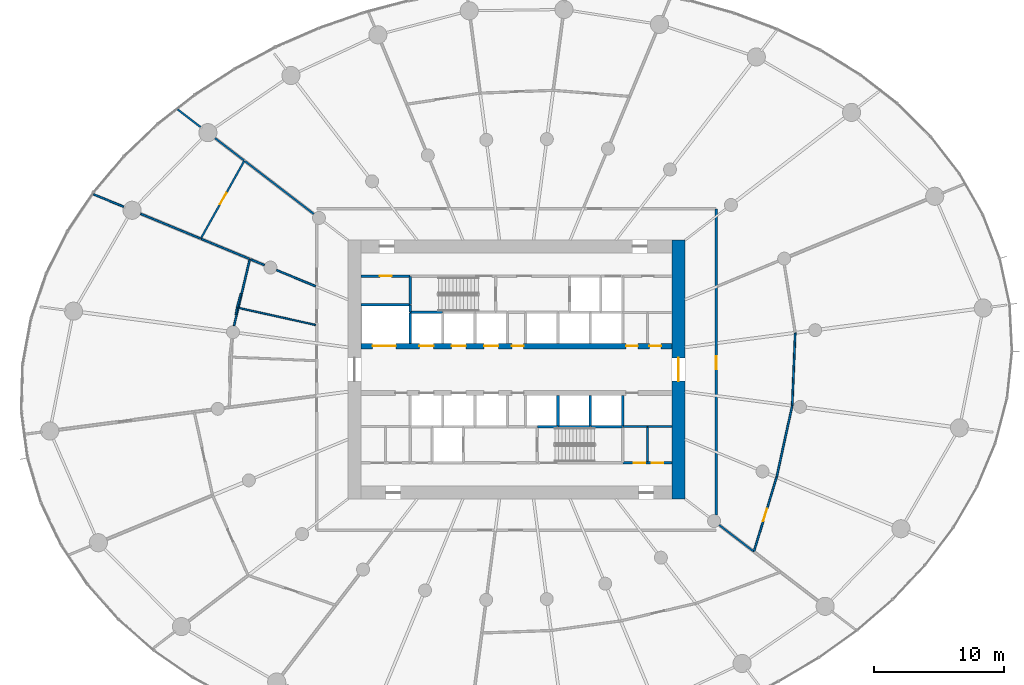
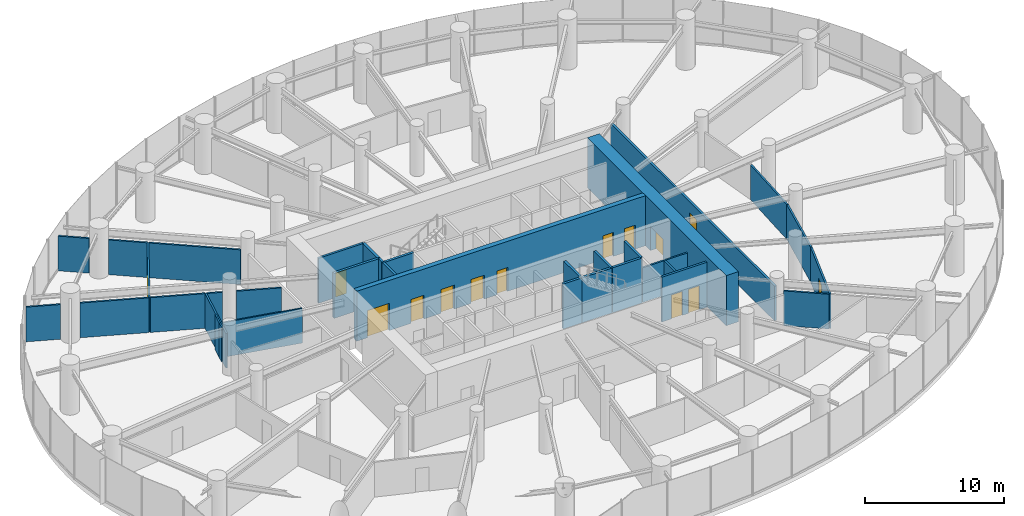
# One storey, part 13 of 18: 36 walls, 14 doors, 14 openings.
"""IFC4 building model written with IfcOpenShell, lengths in metres."""

from ifc_helpers import new_model, si_unit, direction, frame, frame_2d, origin, place, context, subcontext, project, spatial, rectangle, extrude, source, transform, mapped, material, layer, layer_set, type_object, element, fill, save


model = new_model("IFC4")

# Units and contexts
model_context = context("Model", 3, precision=1e-05, world=origin(), true_north=direction((0.0, 1.0)))
body_context = subcontext(model_context, "Body", "Model", "MODEL_VIEW")
ifc_project = project(units=[si_unit("LENGTHUNIT", "METRE"), si_unit("AREAUNIT", "SQUARE_METRE"), si_unit("VOLUMEUNIT", "CUBIC_METRE"), si_unit("PLANEANGLEUNIT", "RADIAN"), si_unit("MASSUNIT", "GRAM", prefix="KILO")], contexts=[model_context])

# Site, building, storey
site_placement = place(None, origin())
site = spatial("IfcSite", under=ifc_project, at=site_placement, CompositionType="ELEMENT")
building_placement = place(site_placement, origin())
building = spatial("IfcBuilding", under=site, at=building_placement, Name="Spindrift Exchange Tower", CompositionType="ELEMENT")
storey_placement = place(building_placement, frame((0.0, 0.0, 40.199951171875)))
storey = spatial("IfcBuildingStorey", under=building, at=storey_placement, Name="L09", CompositionType="ELEMENT", Elevation=40.199951171875)

# Wall, opening, door
ifc_material_1 = material(Name="Concrete 80 MPa", Category="concrete")
ifc_layer_1 = layer(ifc_material_1, 1.0)
ifc_layer_set_1 = layer_set([ifc_layer_1], Name="RC Core Wall 1000 Concrete 80 MPa")
wall_type_1 = type_object("IfcWallType", Name="RC Core Wall 1000 Concrete 80 MPa", PredefinedType="SHEAR", material=ifc_layer_set_1)
wall_1_placement = place(storey_placement, frame((64.5, 38.0, 0.0), z_axis=(0.0, 0.0, 1.0), x_axis=(0.0, 1.0, 0.0)))
wall_1 = element("IfcWall", 1, at=wall_1_placement, inside=storey, type_object=wall_type_1, Name="Core wall E L09", PredefinedType="SHEAR", context=body_context, shape_type="SweptSolid", body=[
    extrude(rectangle(XDim=20.0, YDim=1.0, at=frame_2d((10.0, 0.0))), origin(), (0.0, 0.0, 1.0), 4.400146484375),
])
opening_1_placement = place(wall_1_placement, frame((9.10009765625, 0.0, 0.0)))
opening_1 = element("IfcOpeningElement", 2, at=opening_1_placement, cuts=wall_1, Name="Opening L09-D2", PredefinedType="OPENING", context=body_context, shape_type="SweptSolid", body=[
    extrude(rectangle(XDim=1.800048828125, YDim=2.10009765625, at=frame_2d((0.89990234375, 1.050048828125))), frame((0.0, 0.510009765625, 0.0), z_axis=(0.0, -1.0, 0.0), x_axis=(1.0, 0.0, 0.0)), (0.0, 0.0, 1.0), 1.02001953125),
])
ifc_material_2 = material(Name="Timber-core fire door", Category="wood")
door_type_1 = type_object("IfcDoorType", Name="DR-LOBBY-1800", OperationType="NOTDEFINED", PredefinedType="DOOR", material=ifc_material_2)
shared_shape_1 = source(origin(), body_context, "Body", "SweptSolid", [
    extrude(rectangle(XDim=1.800048828125, YDim=2.10009765625, at=frame_2d((0.89990234375, 1.050048828125))), frame((0.0, 0.02490234375, 0.0), z_axis=(0.0, -1.0, 0.0), x_axis=(1.0, 0.0, 0.0)), (0.0, 0.0, 1.0), 0.050048828125),
])
door_1_placement = place(opening_1_placement, origin())
door_1 = element("IfcDoor", 3, at=door_1_placement, inside=storey, type_object=door_type_1, Name="L09 Lobby door 2", OperationType="SINGLE_SWING_LEFT", OverallHeight=2.10009765625, OverallWidth=1.800048828125, PredefinedType="DOOR", context=body_context, shape_type="MappedRepresentation", body=[
    mapped(shared_shape_1, transform((0.0, 0.0, 0.0), scale=1.0)),
])
fill(opening_1, door_1)

# Wall, openings, doors
ifc_layer_2 = layer(ifc_material_1, 0.39990234375)
ifc_layer_set_2 = layer_set([ifc_layer_2], Name="RC Spine Wall 400 Concrete 80 MPa")
wall_type_2 = type_object("IfcWallType", Name="RC Spine Wall 400 Concrete 80 MPa", PredefinedType="SHEAR", material=ifc_layer_set_2)
wall_2_placement = place(storey_placement, frame((40.0, 49.800048828125, 0.0), z_axis=(0.0, 0.0, 1.0), x_axis=(1.0, 0.0, 0.0)))
wall_2 = element("IfcWall", 4, at=wall_2_placement, inside=storey, type_object=wall_type_2, Name="Core spine wall N L09", PredefinedType="SHEAR", context=body_context, shape_type="SweptSolid", body=[
    extrude(rectangle(XDim=24.0, YDim=0.39990234375, at=frame_2d((12.0, 0.0))), origin(), (0.0, 0.0, 1.0), 4.400146484375),
])
opening_2_placement = place(wall_2_placement, frame((4.5, 0.0, 0.0)))
opening_2 = element("IfcOpeningElement", 5, at=opening_2_placement, cuts=wall_2, Name="Opening L09-D3", PredefinedType="OPENING", context=body_context, shape_type="SweptSolid", body=[
    extrude(rectangle(XDim=1.10009765625, YDim=2.10009765625, at=frame_2d((0.550048828125, 1.050048828125))), frame((0.0, 0.2099609375, 0.0), z_axis=(0.0, -1.0, 0.0), x_axis=(1.0, 0.0, 0.0)), (0.0, 0.0, 1.0), 0.419921875),
])
opening_3_placement = place(wall_2_placement, frame((7.0, 0.0, 0.0)))
opening_3 = element("IfcOpeningElement", 6, at=opening_3_placement, cuts=wall_2, Name="Opening L09-D4", PredefinedType="OPENING", context=body_context, shape_type="SweptSolid", body=[
    extrude(rectangle(XDim=1.10009765625, YDim=2.10009765625, at=frame_2d((0.550048828125, 1.050048828125))), frame((0.0, 0.2099609375, 0.0), z_axis=(0.0, -1.0, 0.0), x_axis=(1.0, 0.0, 0.0)), (0.0, 0.0, 1.0), 0.419921875),
])
opening_4_placement = place(wall_2_placement, frame((9.5, 0.0, 0.0)))
opening_4 = element("IfcOpeningElement", 7, at=opening_4_placement, cuts=wall_2, Name="Opening L09-D5", PredefinedType="OPENING", context=body_context, shape_type="SweptSolid", body=[
    extrude(rectangle(XDim=1.10009765625, YDim=2.10009765625, at=frame_2d((0.550048828125, 1.050048828125))), frame((0.0, 0.2099609375, 0.0), z_axis=(0.0, -1.0, 0.0), x_axis=(1.0, 0.0, 0.0)), (0.0, 0.0, 1.0), 0.419921875),
])
opening_5_placement = place(wall_2_placement, frame((0.89990234375, 0.0, 0.0)))
opening_5 = element("IfcOpeningElement", 8, at=opening_5_placement, cuts=wall_2, Name="Opening L09-D12", PredefinedType="OPENING", context=body_context, shape_type="SweptSolid", body=[
    extrude(rectangle(XDim=1.800048828125, YDim=2.39990234375, at=frame_2d((0.89990234375, 1.199951171875))), frame((0.0, 0.2099609375, 0.0), z_axis=(0.0, -1.0, 0.0), x_axis=(1.0, 0.0, 0.0)), (0.0, 0.0, 1.0), 0.419921875),
])
opening_6_placement = place(wall_2_placement, frame((20.449951171875, 0.0, 0.0)))
opening_6 = element("IfcOpeningElement", 9, at=opening_6_placement, cuts=wall_2, Name="Opening L09-D49", PredefinedType="OPENING", context=body_context, shape_type="SweptSolid", body=[
    extrude(rectangle(XDim=0.89990234375, YDim=2.10009765625, at=frame_2d((0.449951171875, 1.050048828125))), frame((0.0, 0.2099609375, 0.0), z_axis=(0.0, -1.0, 0.0), x_axis=(1.0, 0.0, 0.0)), (0.0, 0.0, 1.0), 0.419921875),
])
opening_7_placement = place(wall_2_placement, frame((22.25, 0.0, 0.0)))
opening_7 = element("IfcOpeningElement", 10, at=opening_7_placement, cuts=wall_2, Name="Opening L09-D50", PredefinedType="OPENING", context=body_context, shape_type="SweptSolid", body=[
    extrude(rectangle(XDim=0.89990234375, YDim=2.10009765625, at=frame_2d((0.449951171875, 1.050048828125))), frame((0.0, 0.2099609375, 0.0), z_axis=(0.0, -1.0, 0.0), x_axis=(1.0, 0.0, 0.0)), (0.0, 0.0, 1.0), 0.419921875),
])
opening_8_placement = place(wall_2_placement, frame((11.64990234375, 0.0, 0.0)))
opening_8 = element("IfcOpeningElement", 11, at=opening_8_placement, cuts=wall_2, Name="Opening L09-D55", PredefinedType="OPENING", context=body_context, shape_type="SweptSolid", body=[
    extrude(rectangle(XDim=0.89990234375, YDim=2.10009765625, at=frame_2d((0.449951171875, 1.050048828125))), frame((0.0, 0.2099609375, 0.0), z_axis=(0.0, -1.0, 0.0), x_axis=(1.0, 0.0, 0.0)), (0.0, 0.0, 1.0), 0.419921875),
])
ifc_material_3 = material(Name="Stainless steel landing door", Category="steel")
door_type_2 = type_object("IfcDoorType", Name="DR-LANDING-1100-SL", OperationType="DOUBLE_DOOR_SLIDING", PredefinedType="USERDEFINED", material=ifc_material_3)
shared_shape_2 = source(origin(), body_context, "Body", "SweptSolid", [
    extrude(rectangle(XDim=1.10009765625, YDim=2.10009765625, at=frame_2d((0.550048828125, 1.050048828125))), frame((0.0, 0.02490234375, 0.0), z_axis=(0.0, -1.0, 0.0), x_axis=(1.0, 0.0, 0.0)), (0.0, 0.0, 1.0), 0.050048828125),
])
door_2_placement = place(opening_2_placement, origin())
door_2 = element("IfcDoor", 12, at=door_2_placement, inside=storey, type_object=door_type_2, Name="L09 Lift landing door 3", ObjectType="LANDING DOOR", OperationType="DOUBLE_DOOR_SLIDING", OverallHeight=2.10009765625, OverallWidth=1.10009765625, PredefinedType="USERDEFINED", context=body_context, shape_type="MappedRepresentation", body=[
    mapped(shared_shape_2, transform((0.0, 0.0, 0.0), scale=1.0)),
])
fill(opening_2, door_2)
door_3_placement = place(opening_3_placement, origin())
door_3 = element("IfcDoor", 13, at=door_3_placement, inside=storey, type_object=door_type_2, Name="L09 Lift landing door 4", ObjectType="LANDING DOOR", OperationType="DOUBLE_DOOR_SLIDING", OverallHeight=2.10009765625, OverallWidth=1.10009765625, PredefinedType="USERDEFINED", context=body_context, shape_type="MappedRepresentation", body=[
    mapped(shared_shape_2, transform((0.0, 0.0, 0.0), scale=1.0)),
])
fill(opening_3, door_3)
door_4_placement = place(opening_4_placement, origin())
door_4 = element("IfcDoor", 14, at=door_4_placement, inside=storey, type_object=door_type_2, Name="L09 Lift landing door 5", ObjectType="LANDING DOOR", OperationType="DOUBLE_DOOR_SLIDING", OverallHeight=2.10009765625, OverallWidth=1.10009765625, PredefinedType="USERDEFINED", context=body_context, shape_type="MappedRepresentation", body=[
    mapped(shared_shape_2, transform((0.0, 0.0, 0.0), scale=1.0)),
])
fill(opening_4, door_4)
door_type_3 = type_object("IfcDoorType", Name="DR-LANDING-1800-SL", OperationType="DOUBLE_DOOR_SLIDING", PredefinedType="USERDEFINED", material=ifc_material_3)
shared_shape_3 = source(origin(), body_context, "Body", "SweptSolid", [
    extrude(rectangle(XDim=1.800048828125, YDim=2.39990234375, at=frame_2d((0.89990234375, 1.199951171875))), frame((0.0, 0.02490234375, 0.0), z_axis=(0.0, -1.0, 0.0), x_axis=(1.0, 0.0, 0.0)), (0.0, 0.0, 1.0), 0.050048828125),
])
door_5_placement = place(opening_5_placement, origin())
door_5 = element("IfcDoor", 15, at=door_5_placement, inside=storey, type_object=door_type_3, Name="L09 Lift landing door 12", ObjectType="LANDING DOOR", OperationType="DOUBLE_DOOR_SLIDING", OverallHeight=2.39990234375, OverallWidth=1.800048828125, PredefinedType="USERDEFINED", context=body_context, shape_type="MappedRepresentation", body=[
    mapped(shared_shape_3, transform((0.0, 0.0, 0.0), scale=1.0)),
])
fill(opening_5, door_5)
ifc_material_4 = material(Name="Steel access door", Category="steel")
door_type_4 = type_object("IfcDoorType", Name="DR-RISER-900", OperationType="NOTDEFINED", PredefinedType="DOOR", material=ifc_material_4)
shared_shape_4 = source(origin(), body_context, "Body", "SweptSolid", [
    extrude(rectangle(XDim=0.89990234375, YDim=2.10009765625, at=frame_2d((0.449951171875, 1.050048828125))), frame((0.0, 0.02490234375, 0.0), z_axis=(0.0, -1.0, 0.0), x_axis=(1.0, 0.0, 0.0)), (0.0, 0.0, 1.0), 0.050048828125),
])
door_6_placement = place(opening_6_placement, origin())
door_6 = element("IfcDoor", 16, at=door_6_placement, inside=storey, type_object=door_type_4, Name="L09 Riser door 49", OperationType="SINGLE_SWING_RIGHT", OverallHeight=2.10009765625, OverallWidth=0.89990234375, PredefinedType="DOOR", context=body_context, shape_type="MappedRepresentation", body=[
    mapped(shared_shape_4, transform((0.0, 0.0, 0.0), scale=1.0)),
])
fill(opening_6, door_6)
door_7_placement = place(opening_7_placement, origin())
door_7 = element("IfcDoor", 17, at=door_7_placement, inside=storey, type_object=door_type_4, Name="L09 Riser door 50", OperationType="SINGLE_SWING_LEFT", OverallHeight=2.10009765625, OverallWidth=0.89990234375, PredefinedType="DOOR", context=body_context, shape_type="MappedRepresentation", body=[
    mapped(shared_shape_4, transform((0.0, 0.0, 0.0), scale=1.0)),
])
fill(opening_7, door_7)
door_8_placement = place(opening_8_placement, origin())
door_8 = element("IfcDoor", 18, at=door_8_placement, inside=storey, type_object=door_type_4, Name="L09 Riser door 55", OperationType="SINGLE_SWING_RIGHT", OverallHeight=2.10009765625, OverallWidth=0.89990234375, PredefinedType="DOOR", context=body_context, shape_type="MappedRepresentation", body=[
    mapped(shared_shape_4, transform((0.0, 0.0, 0.0), scale=1.0)),
])
fill(opening_8, door_8)

# Wall, opening, door
ifc_material_5 = material(Name="Fire-rated plasterboard partition", Category="gypsum")
ifc_layer_3 = layer(ifc_material_5, 0.179931640625)
ifc_layer_set_3 = layer_set([ifc_layer_3], Name="W-CORR-180")
wall_type_3 = type_object("IfcWallType", Name="W-CORR-180", PredefinedType="PARTITIONING", material=ifc_layer_set_3)
wall_3_placement = place(storey_placement, frame((67.39990234375, 60.3701171875, 0.0), z_axis=(0.0, 0.0, 1.0), x_axis=(0.0, -1.0, 0.0)))
wall_3 = element("IfcWall", 19, at=wall_3_placement, inside=storey, type_object=wall_type_3, Name="L09 Partition wall 59", PredefinedType="PARTITIONING", context=body_context, shape_type="SweptSolid", body=[
    extrude(rectangle(XDim=23.58251953125, YDim=0.179931640625, at=frame_2d((11.791259765625, 0.0))), origin(), (0.0, 0.0, 1.0), 3.050048828125),
])
opening_9_placement = place(wall_3_placement, frame((11.33251953125, 0.0, 0.0)))
opening_9 = element("IfcOpeningElement", 20, at=opening_9_placement, cuts=wall_3, Name="Opening L09-D35", PredefinedType="OPENING", context=body_context, shape_type="SweptSolid", body=[
    extrude(rectangle(XDim=1.0, YDim=2.10009765625, at=frame_2d((0.5, 1.050048828125))), frame((0.0, 0.099853515625, 0.0), z_axis=(0.0, -1.0, 0.0), x_axis=(1.0, 0.0, 0.0)), (0.0, 0.0, 1.0), 0.199951171875),
])
door_type_5 = type_object("IfcDoorType", Name="DR-ROOM-1000", OperationType="NOTDEFINED", PredefinedType="DOOR", material=ifc_material_2)
shared_shape_5 = source(origin(), body_context, "Body", "SweptSolid", [
    extrude(rectangle(XDim=1.0, YDim=2.10009765625, at=frame_2d((0.5, 1.050048828125))), frame((0.0, 0.02490234375, 0.0), z_axis=(0.0, -1.0, 0.0), x_axis=(1.0, 0.0, 0.0)), (0.0, 0.0, 1.0), 0.050048828125),
])
door_9_placement = place(opening_9_placement, origin())
door_9 = element("IfcDoor", 21, at=door_9_placement, inside=storey, type_object=door_type_5, Name="L09 Door 35", OperationType="SINGLE_SWING_RIGHT", OverallHeight=2.10009765625, OverallWidth=1.0, PredefinedType="DOOR", context=body_context, shape_type="MappedRepresentation", body=[
    mapped(shared_shape_5, transform((0.0, 0.0, 0.0), scale=1.0)),
])
fill(opening_9, door_9)

wall_4_placement = place(storey_placement, frame((43.77001953125, 55.199951171875, 0.0), z_axis=(0.0, 0.0, 1.0), x_axis=(-1.0, 0.0, 0.0)))
wall_4 = element("IfcWall", 22, at=wall_4_placement, inside=storey, type_object=wall_type_3, Name="L09 Partition wall 62", PredefinedType="PARTITIONING", context=body_context, shape_type="SweptSolid", body=[
    extrude(rectangle(XDim=3.75, YDim=0.179931640625, at=frame_2d((1.875, 0.0))), origin(), (0.0, 0.0, 1.0), 3.949951171875),
])
opening_10_placement = place(wall_4_placement, frame((1.39990234375, 0.0, 0.0)))
opening_10 = element("IfcOpeningElement", 23, at=opening_10_placement, cuts=wall_4, Name="Opening L09-D45", PredefinedType="OPENING", context=body_context, shape_type="SweptSolid", body=[
    extrude(rectangle(XDim=0.89990234375, YDim=2.10009765625, at=frame_2d((0.449951171875, 1.050048828125))), frame((0.0, 0.099853515625, 0.0), z_axis=(0.0, -1.0, 0.0), x_axis=(1.0, 0.0, 0.0)), (0.0, 0.0, 1.0), 0.199951171875),
])
door_10_placement = place(opening_10_placement, origin())
door_10 = element("IfcDoor", 24, at=door_10_placement, inside=storey, type_object=door_type_4, Name="L09 Riser door 45", OperationType="SINGLE_SWING_RIGHT", OverallHeight=2.10009765625, OverallWidth=0.89990234375, PredefinedType="DOOR", context=body_context, shape_type="MappedRepresentation", body=[
    mapped(shared_shape_4, transform((0.0, 0.0, 0.0), scale=1.0)),
])
fill(opening_10, door_10)

# Wall, openings, doors
wall_5_placement = place(storey_placement, frame((60.22998046875, 40.800048828125, 0.0), z_axis=(0.0, 0.0, 1.0), x_axis=(1.0, 0.0, 0.0)))
wall_5 = element("IfcWall", 25, at=wall_5_placement, inside=storey, type_object=wall_type_3, Name="L09 Partition wall 63", PredefinedType="PARTITIONING", context=body_context, shape_type="SweptSolid", body=[
    extrude(rectangle(XDim=3.75, YDim=0.179931640625, at=frame_2d((1.875, 0.0))), origin(), (0.0, 0.0, 1.0), 3.949951171875),
])
opening_11_placement = place(wall_5_placement, frame((0.800048828125, 0.0, 0.0)))
opening_11 = element("IfcOpeningElement", 26, at=opening_11_placement, cuts=wall_5, Name="Opening L09-D52", PredefinedType="OPENING", context=body_context, shape_type="SweptSolid", body=[
    extrude(rectangle(XDim=0.89990234375, YDim=2.10009765625, at=frame_2d((0.449951171875, 1.050048828125))), frame((0.0, 0.099853515625, 0.0), z_axis=(0.0, -1.0, 0.0), x_axis=(1.0, 0.0, 0.0)), (0.0, 0.0, 1.0), 0.199951171875),
])
opening_12_placement = place(wall_5_placement, frame((2.199951171875, 0.0, 0.0)))
opening_12 = element("IfcOpeningElement", 27, at=opening_12_placement, cuts=wall_5, Name="Opening L09-D53", PredefinedType="OPENING", context=body_context, shape_type="SweptSolid", body=[
    extrude(rectangle(XDim=0.89990234375, YDim=2.10009765625, at=frame_2d((0.449951171875, 1.050048828125))), frame((0.0, 0.099853515625, 0.0), z_axis=(0.0, -1.0, 0.0), x_axis=(1.0, 0.0, 0.0)), (0.0, 0.0, 1.0), 0.199951171875),
])
door_11_placement = place(opening_11_placement, origin())
door_11 = element("IfcDoor", 28, at=door_11_placement, inside=storey, type_object=door_type_4, Name="L09 Riser door 52", OperationType="SINGLE_SWING_LEFT", OverallHeight=2.10009765625, OverallWidth=0.89990234375, PredefinedType="DOOR", context=body_context, shape_type="MappedRepresentation", body=[
    mapped(shared_shape_4, transform((0.0, 0.0, 0.0), scale=1.0)),
])
fill(opening_11, door_11)
door_12_placement = place(opening_12_placement, origin())
door_12 = element("IfcDoor", 29, at=door_12_placement, inside=storey, type_object=door_type_4, Name="L09 Riser door 53", OperationType="SINGLE_SWING_RIGHT", OverallHeight=2.10009765625, OverallWidth=0.89990234375, PredefinedType="DOOR", context=body_context, shape_type="MappedRepresentation", body=[
    mapped(shared_shape_4, transform((0.0, 0.0, 0.0), scale=1.0)),
])
fill(opening_12, door_12)

# Wall, opening, door
ifc_layer_4 = layer(ifc_material_5, 0.139892578125)
ifc_layer_set_4 = layer_set([ifc_layer_4], Name="W-PART-140")
wall_type_4 = type_object("IfcWallType", Name="W-PART-140", PredefinedType="PARTITIONING", material=ifc_layer_set_4)
wall_6_placement = place(storey_placement, frame((72.056396484375, 39.6923828125, 0.0), z_axis=(0.0, 0.0, 1.0), x_axis=(-0.291746072941, -0.95649580706, 0.0)))
wall_6 = element("IfcWall", 30, at=wall_6_placement, inside=storey, type_object=wall_type_4, Name="L09 Partition wall 77", PredefinedType="PARTITIONING", context=body_context, shape_type="SweptSolid", body=[
    extrude(rectangle(XDim=6.0, YDim=0.139892578125, at=frame_2d((3.0, 0.0))), origin(), (0.0, 0.0, 1.0), 3.050048828125),
])
opening_13_placement = place(wall_6_placement, frame((2.550048828125, 0.0, 0.0)))
opening_13 = element("IfcOpeningElement", 31, at=opening_13_placement, cuts=wall_6, Name="Opening L09-D36", PredefinedType="OPENING", context=body_context, shape_type="SweptSolid", body=[
    extrude(rectangle(XDim=1.0, YDim=2.10009765625, at=frame_2d((0.5, 1.050048828125))), frame((0.0, 0.079833984375, 0.0), z_axis=(0.0, -1.0, 0.0), x_axis=(1.0, 0.0, 0.0)), (0.0, 0.0, 1.0), 0.159912109375),
])
door_13_placement = place(opening_13_placement, origin())
door_13 = element("IfcDoor", 32, at=door_13_placement, inside=storey, type_object=door_type_5, Name="L09 Door 36", OperationType="SINGLE_SWING_LEFT", OverallHeight=2.10009765625, OverallWidth=1.0, PredefinedType="DOOR", context=body_context, shape_type="MappedRepresentation", body=[
    mapped(shared_shape_5, transform((0.0, 0.0, 0.0), scale=1.0)),
])
fill(opening_13, door_13)

# Walls
wall_7_placement = place(storey_placement, frame((72.06298828125, 39.7216796875, 0.0), z_axis=(0.0, 0.0, 1.0), x_axis=(0.213380114585, 0.97696925576, 0.0)))
element("IfcWall", 33, at=wall_7_placement, inside=storey, type_object=wall_type_4, Name="L09 Partition wall 84", PredefinedType="PARTITIONING", context=body_context, shape_type="SweptSolid", body=[
    extrude(rectangle(XDim=5.608642578125, YDim=0.139892578125, at=frame_2d((2.80419921875, 0.0))), origin(), (0.0, 0.0, 1.0), 3.050048828125),
])
wall_8_placement = place(storey_placement, frame((73.260986328125, 45.231201171875, 0.0), z_axis=(0.0, 0.0, 1.0), x_axis=(0.041003428889, 0.999159005774, 0.0)))
element("IfcWall", 34, at=wall_8_placement, inside=storey, type_object=wall_type_4, Name="L09 Partition wall 85", PredefinedType="PARTITIONING", context=body_context, shape_type="SweptSolid", body=[
    extrude(rectangle(XDim=5.602783203125, YDim=0.139892578125, at=frame_2d((2.80126953125, 0.0))), origin(), (0.0, 0.0, 1.0), 3.050048828125),
])
wall_9_placement = place(storey_placement, frame((31.4365234375, 56.517578125, 0.0), z_axis=(0.0, 0.0, 1.0), x_axis=(-0.230427237718, -0.973089558118, 0.0)))
element("IfcWall", 35, at=wall_9_placement, inside=storey, type_object=wall_type_4, Name="L09 Partition wall 91", PredefinedType="PARTITIONING", context=body_context, shape_type="SweptSolid", body=[
    extrude(rectangle(XDim=5.28369140625, YDim=0.139892578125, at=frame_2d((2.641845703125, 0.0))), origin(), (0.0, 0.0, 1.0), 3.050048828125),
])
wall_10_placement = place(storey_placement, frame((27.62255859375, 58.097412109375, 0.0), z_axis=(0.0, 0.0, 1.0), x_axis=(-0.923864356011, 0.382720069622, 0.0)))
element("IfcWall", 36, at=wall_10_placement, inside=storey, type_object=wall_type_4, Name="L09 Partition wall 95", PredefinedType="PARTITIONING", context=body_context, shape_type="SweptSolid", body=[
    extrude(rectangle(XDim=4.99609375, YDim=0.139892578125, at=frame_2d((2.498046875, 0.0))), origin(), (0.0, 0.0, 1.0), 3.050048828125),
])
wall_11_placement = place(storey_placement, frame((67.632568359375, 36.004638671875, 0.0), z_axis=(0.0, 0.0, 1.0), x_axis=(0.793345111692, -0.608772152579, 0.0)))
element("IfcWall", 37, at=wall_11_placement, inside=storey, type_object=wall_type_4, Name="L09 Partition wall 103", PredefinedType="PARTITIONING", context=body_context, shape_type="SweptSolid", body=[
    extrude(rectangle(XDim=3.294921875, YDim=0.139892578125, at=frame_2d((1.6474609375, 0.0))), origin(), (0.0, 0.0, 1.0), 3.050048828125),
])
wall_12_placement = place(storey_placement, frame((30.99072265625, 64.120849609375, 0.0), z_axis=(0.0, 0.0, 1.0), x_axis=(-0.793361942245, 0.60875021856, 0.0)))
element("IfcWall", 38, at=wall_12_placement, inside=storey, type_object=wall_type_4, Name="L09 Partition wall 107", PredefinedType="PARTITIONING", context=body_context, shape_type="SweptSolid", body=[
    extrude(rectangle(XDim=2.814208984375, YDim=0.139892578125, at=frame_2d((1.4072265625, 0.0))), origin(), (0.0, 0.0, 1.0), 3.050048828125),
])
wall_13_placement = place(storey_placement, frame((62.10009765625, 40.889892578125, 0.0), z_axis=(0.0, 0.0, 1.0), x_axis=(0.0, 1.0, 0.0)))
element("IfcWall", 39, at=wall_13_placement, inside=storey, type_object=wall_type_4, Name="L09 Partition wall 109", PredefinedType="PARTITIONING", context=body_context, shape_type="SweptSolid", body=[
    extrude(rectangle(XDim=2.710205078125, YDim=0.139892578125, at=frame_2d((1.35498046875, 0.0))), origin(), (0.0, 0.0, 1.0), 3.050048828125),
])
wall_14_placement = place(storey_placement, frame((21.7041015625, 60.549072265625, 0.0), z_axis=(0.0, 0.0, 1.0), x_axis=(-0.923879092029, 0.382684495781, 0.0)))
element("IfcWall", 40, at=wall_14_placement, inside=storey, type_object=wall_type_4, Name="L09 Partition wall 111", PredefinedType="PARTITIONING", context=body_context, shape_type="SweptSolid", body=[
    extrude(rectangle(XDim=2.505859375, YDim=0.139892578125, at=frame_2d((1.2529296875, 0.0))), origin(), (0.0, 0.0, 1.0), 3.050048828125),
])
wall_15_placement = place(storey_placement, frame((27.640625, 66.69140625, 0.0), z_axis=(0.0, 0.0, 1.0), x_axis=(-0.793298337488, 0.608833103353, 0.0)))
element("IfcWall", 41, at=wall_15_placement, inside=storey, type_object=wall_type_4, Name="L09 Partition wall 114", PredefinedType="PARTITIONING", context=body_context, shape_type="SweptSolid", body=[
    extrude(rectangle(XDim=2.24609375, YDim=0.139892578125, at=frame_2d((1.123046875, 0.0))), origin(), (0.0, 0.0, 1.0), 3.050048828125),
])
wall_16_placement = place(storey_placement, frame((60.22998046875, 43.60009765625, 0.0), z_axis=(0.0, 0.0, 1.0), x_axis=(1.0, 0.0, 0.0)))
element("IfcWall", 42, at=wall_16_placement, inside=storey, type_object=wall_type_4, Name="L09 Partition wall 118", PredefinedType="PARTITIONING", context=body_context, shape_type="SweptSolid", body=[
    extrude(rectangle(XDim=1.840087890625, YDim=0.139892578125, at=frame_2d((0.919921875, 0.0))), origin(), (0.0, 0.0, 1.0), 3.050048828125),
])
wall_17_placement = place(storey_placement, frame((62.1298828125, 43.60009765625, 0.0), z_axis=(0.0, 0.0, 1.0), x_axis=(1.0, 0.0, 0.0)))
element("IfcWall", 43, at=wall_17_placement, inside=storey, type_object=wall_type_4, Name="L09 Partition wall 121", PredefinedType="PARTITIONING", context=body_context, shape_type="SweptSolid", body=[
    extrude(rectangle(XDim=1.85009765625, YDim=0.139892578125, at=frame_2d((0.925048828125, 0.0))), origin(), (0.0, 0.0, 1.0), 3.050048828125),
])

# Wall, opening, door
ifc_layer_5 = layer(ifc_material_5, 0.139892578125)
ifc_layer_set_5 = layer_set([ifc_layer_5], Name="W-PLANT-140")
wall_type_5 = type_object("IfcWallType", Name="W-PLANT-140", PredefinedType="PARTITIONING", material=ifc_layer_set_5)
wall_18_placement = place(storey_placement, frame((27.650146484375, 58.0859375, 0.0), z_axis=(0.0, 0.0, 1.0), x_axis=(0.488058671377, 0.872810823314, 0.0)))
wall_18 = element("IfcWall", 44, at=wall_18_placement, inside=storey, type_object=wall_type_5, Name="L09 Partition wall 70", PredefinedType="PARTITIONING", context=body_context, shape_type="SweptSolid", body=[
    extrude(rectangle(XDim=6.8935546875, YDim=0.139892578125, at=frame_2d((3.44677734375, 0.0))), origin(), (0.0, 0.0, 1.0), 3.050048828125),
])
opening_14_placement = place(wall_18_placement, frame((3.04345703125, 0.0, 0.0)))
opening_14 = element("IfcOpeningElement", 45, at=opening_14_placement, cuts=wall_18, Name="Opening L09-D44", PredefinedType="OPENING", context=body_context, shape_type="SweptSolid", body=[
    extrude(rectangle(XDim=1.0, YDim=2.10009765625, at=frame_2d((0.5, 1.050048828125))), frame((0.0, 0.079833984375, 0.0), z_axis=(0.0, -1.0, 0.0), x_axis=(1.0, 0.0, 0.0)), (0.0, 0.0, 1.0), 0.159912109375),
])
door_14_placement = place(opening_14_placement, origin())
door_14 = element("IfcDoor", 46, at=door_14_placement, inside=storey, type_object=door_type_5, Name="L09 Door 44", OperationType="SINGLE_SWING_LEFT", OverallHeight=2.10009765625, OverallWidth=1.0, PredefinedType="DOOR", context=body_context, shape_type="MappedRepresentation", body=[
    mapped(shared_shape_5, transform((0.0, 0.0, 0.0), scale=1.0)),
])
fill(opening_14, door_14)

# Walls
wall_19_placement = place(storey_placement, frame((36.367431640625, 59.995361328125, 0.0), z_axis=(0.0, 0.0, 1.0), x_axis=(-0.793356148501, 0.60875776926, 0.0)))
element("IfcWall", 47, at=wall_19_placement, inside=storey, type_object=wall_type_5, Name="L09 Partition wall 75", PredefinedType="PARTITIONING", context=body_context, shape_type="SweptSolid", body=[
    extrude(rectangle(XDim=6.67626953125, YDim=0.139892578125, at=frame_2d((3.338134765625, 0.0))), origin(), (0.0, 0.0, 1.0), 3.050048828125),
])
wall_20_placement = place(storey_placement, frame((31.408935546875, 56.529052734375, 0.0), z_axis=(0.0, 0.0, 1.0), x_axis=(-0.923871694758, 0.382702353827, 0.0)))
element("IfcWall", 48, at=wall_20_placement, inside=storey, type_object=wall_type_5, Name="L09 Partition wall 98", PredefinedType="PARTITIONING", context=body_context, shape_type="SweptSolid", body=[
    extrude(rectangle(XDim=3.998046875, YDim=0.139892578125, at=frame_2d((1.9990234375, 0.0))), origin(), (0.0, 0.0, 1.0), 3.050048828125),
])
wall_21_placement = place(storey_placement, frame((36.510009765625, 54.416259765625, 0.0), z_axis=(0.0, 0.0, 1.0), x_axis=(-0.923911109142, 0.382607190737, 0.0)))
element("IfcWall", 49, at=wall_21_placement, inside=storey, type_object=wall_type_5, Name="L09 Partition wall 104", PredefinedType="PARTITIONING", context=body_context, shape_type="SweptSolid", body=[
    extrude(rectangle(XDim=3.264404296875, YDim=0.139892578125, at=frame_2d((1.63232421875, 0.0))), origin(), (0.0, 0.0, 1.0), 3.050048828125),
])
wall_22_placement = place(storey_placement, frame((32.560791015625, 56.052001953125, 0.0), z_axis=(0.0, 0.0, 1.0), x_axis=(-0.923881792955, 0.382677975126, 0.0)))
element("IfcWall", 50, at=wall_22_placement, inside=storey, type_object=wall_type_5, Name="L09 Partition wall 129", PredefinedType="PARTITIONING", context=body_context, shape_type="SweptSolid", body=[
    extrude(rectangle(XDim=1.145751953125, YDim=0.139892578125, at=frame_2d((0.57275390625, 0.0))), origin(), (0.0, 0.0, 1.0), 3.050048828125),
])
ifc_material_6 = material(Name="Concrete 40 MPa", Category="concrete")
ifc_layer_6 = layer(ifc_material_6, 0.199951171875)
ifc_layer_set_6 = layer_set([ifc_layer_6], Name="W-SHAFT-200-LB")
wall_type_6 = type_object("IfcWallType", Name="W-SHAFT-200-LB", PredefinedType="SOLIDWALL", material=ifc_layer_set_6)
wall_23_placement = place(storey_placement, frame((43.800048828125, 53.0, 0.0), z_axis=(0.0, 0.0, 1.0), x_axis=(-1.0, 0.0, 0.0)))
element("IfcWall", 51, at=wall_23_placement, inside=storey, type_object=wall_type_6, Name="L09 Shaft wall 5", PredefinedType="SOLIDWALL", context=body_context, shape_type="SweptSolid", body=[
    extrude(rectangle(XDim=3.780029296875, YDim=0.199951171875, at=frame_2d((1.89013671875, 0.0))), origin(), (0.0, 0.0, 1.0), 3.949951171875),
])
for number, where, z_axis, x_axis, name in (
    (52, (46.300048828125, 52.39990234375, 0.0), (0.0, 0.0, 1.0), (-1.0, 0.0, 0.0), "L09 Shaft wall 15"),
    (53, (55.199951171875, 43.60009765625, 0.0), (0.0, 0.0, 1.0), (1.0, 0.0, 0.0), "L09 Shaft wall 19"),
):
    element("IfcWall", number, at=place(storey_placement, frame(where, z_axis=z_axis, x_axis=x_axis)), inside=storey, type_object=wall_type_6, Name=name, PredefinedType="SOLIDWALL", context=body_context, shape_type="SweptSolid", body=[
        extrude(rectangle(XDim=2.5, YDim=0.199951171875, at=frame_2d((1.25, 0.0))), origin(), (0.0, 0.0, 1.0), 3.949951171875),
    ])
wall_24_placement = place(storey_placement, frame((57.72998046875, 43.60009765625, 0.0), z_axis=(0.0, 0.0, 1.0), x_axis=(1.0, 0.0, 0.0)))
element("IfcWall", 54, at=wall_24_placement, inside=storey, type_object=wall_type_6, Name="L09 Shaft wall 20", PredefinedType="SOLIDWALL", context=body_context, shape_type="SweptSolid", body=[
    extrude(rectangle(XDim=2.43994140625, YDim=0.199951171875, at=frame_2d((1.219970703125, 0.0))), origin(), (0.0, 0.0, 1.0), 3.949951171875),
])
for number, where, z_axis, x_axis, name in (
    (55, (43.800048828125, 52.3701171875, 0.0), (0.0, 0.0, 1.0), (0.0, -1.0, 0.0), "L09 Shaft wall 24"),
    (56, (55.199951171875, 43.6298828125, 0.0), (0.0, 0.0, 1.0), (0.0, 1.0, 0.0), "L09 Shaft wall 33"),
    (57, (57.699951171875, 43.6298828125, 0.0), (0.0, 0.0, 1.0), (0.0, 1.0, 0.0), "L09 Shaft wall 35"),
    (58, (60.199951171875, 43.6298828125, 0.0), (0.0, 0.0, 1.0), (0.0, 1.0, 0.0), "L09 Shaft wall 37"),
):
    element("IfcWall", number, at=place(storey_placement, frame(where, z_axis=z_axis, x_axis=x_axis)), inside=storey, type_object=wall_type_6, Name=name, PredefinedType="SOLIDWALL", context=body_context, shape_type="SweptSolid", body=[
        extrude(rectangle(XDim=2.360107421875, YDim=0.199951171875, at=frame_2d((1.18017578125, 0.0))), origin(), (0.0, 0.0, 1.0), 3.949951171875),
    ])
wall_25_placement = place(storey_placement, frame((43.800048828125, 55.169921875, 0.0), z_axis=(0.0, 0.0, 1.0), x_axis=(0.0, -1.0, 0.0)))
element("IfcWall", 59, at=wall_25_placement, inside=storey, type_object=wall_type_6, Name="L09 Shaft wall 39", PredefinedType="SOLIDWALL", context=body_context, shape_type="SweptSolid", body=[
    extrude(rectangle(XDim=2.139892578125, YDim=0.199951171875, at=frame_2d((1.06982421875, 0.0))), origin(), (0.0, 0.0, 1.0), 3.949951171875),
])
wall_26_placement = place(storey_placement, frame((53.6298828125, 43.60009765625, 0.0), z_axis=(0.0, 0.0, 1.0), x_axis=(1.0, 0.0, 0.0)))
element("IfcWall", 60, at=wall_26_placement, inside=storey, type_object=wall_type_6, Name="L09 Shaft wall 46", PredefinedType="SOLIDWALL", context=body_context, shape_type="SweptSolid", body=[
    extrude(rectangle(XDim=1.5400390625, YDim=0.199951171875, at=frame_2d((0.77001953125, 0.0))), origin(), (0.0, 0.0, 1.0), 3.949951171875),
])
wall_27_placement = place(storey_placement, frame((43.800048828125, 52.429931640625, 0.0), z_axis=(0.0, 0.0, 1.0), x_axis=(0.0, 1.0, 0.0)))
element("IfcWall", 61, at=wall_27_placement, inside=storey, type_object=wall_type_6, Name="L09 Shaft wall 56", PredefinedType="SOLIDWALL", context=body_context, shape_type="SweptSolid", body=[
    extrude(rectangle(XDim=0.5400390625, YDim=0.199951171875, at=frame_2d((0.27001953125, 0.0))), origin(), (0.0, 0.0, 1.0), 3.949951171875),
])
ifc_layer_7 = layer(ifc_material_5, 0.1201171875)
ifc_layer_set_7 = layer_set([ifc_layer_7], Name="W-WET-120")
wall_type_7 = type_object("IfcWallType", Name="W-WET-120", PredefinedType="PARTITIONING", material=ifc_layer_set_7)
wall_28_placement = place(storey_placement, frame((36.510009765625, 51.43408203125, 0.0), z_axis=(0.0, 0.0, 1.0), x_axis=(-0.976293481876, 0.216451004264, 0.0)))
element("IfcWall", 62, at=wall_28_placement, inside=storey, type_object=wall_type_7, Name="L09 Partition wall 136", PredefinedType="PARTITIONING", context=body_context, shape_type="SweptSolid", body=[
    extrude(rectangle(XDim=6.038818359375, YDim=0.1201171875, at=frame_2d((3.01953125, 0.0))), origin(), (0.0, 0.0, 1.0), 3.050048828125),
])
wall_29_placement = place(storey_placement, frame((30.736572265625, 53.865234375, 0.0), z_axis=(0.0, 0.0, 1.0), x_axis=(-0.255027437649, -0.966933816787, 0.0)))
element("IfcWall", 63, at=wall_29_placement, inside=storey, type_object=wall_type_7, Name="L09 Partition wall 138", PredefinedType="PARTITIONING", context=body_context, shape_type="SweptSolid", body=[
    extrude(rectangle(XDim=1.124755859375, YDim=0.1201171875, at=frame_2d((0.5625, 0.0))), origin(), (0.0, 0.0, 1.0), 3.050048828125),
])
wall_30_placement = place(storey_placement, frame((30.444091796875, 52.748046875, 0.0), z_axis=(0.0, 0.0, 1.0), x_axis=(-0.180060539473, -0.983655530216, 0.0)))
element("IfcWall", 64, at=wall_30_placement, inside=storey, type_object=wall_type_7, Name="L09 Partition wall 140", PredefinedType="PARTITIONING", context=body_context, shape_type="SweptSolid", body=[
    extrude(rectangle(XDim=0.530029296875, YDim=0.1201171875, at=frame_2d((0.26513671875, 0.0))), origin(), (0.0, 0.0, 1.0), 3.050048828125),
])

save(model, "model.ifc")
